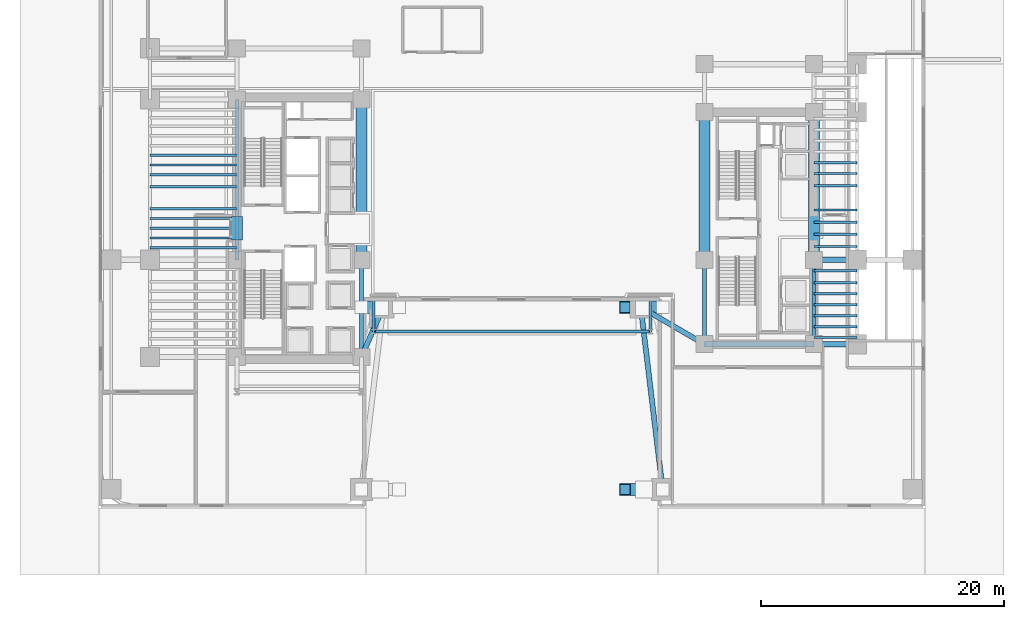
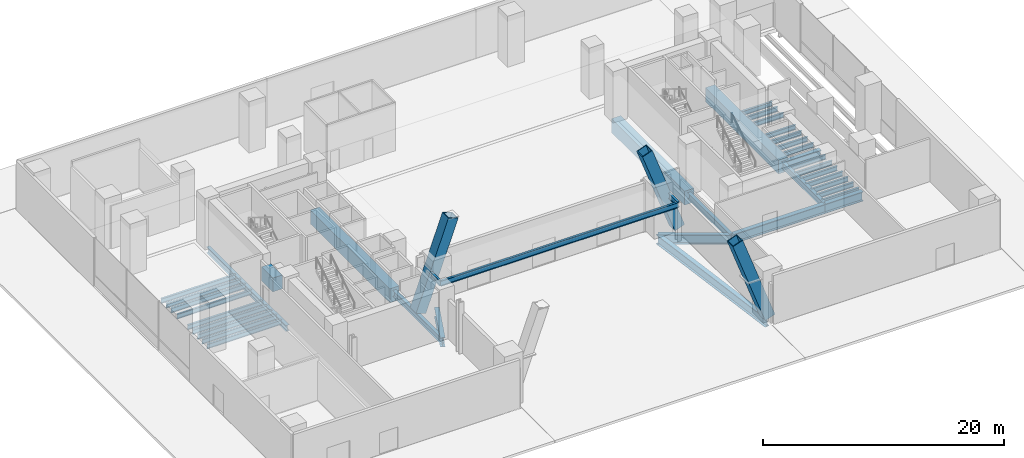
# One storey, part 7 of 27: 40 beams, 3 members.
"""IFC4 building model written with IfcOpenShell, lengths in metres."""

from ifc_helpers import new_model, si_unit, direction, frame, origin, origin_2d, place, context, subcontext, project, spatial, rectangle, hollow_rectangle, i_section, extrude, source, transform, mapped, material, material_profile, profile_set, type_object, element, save


model = new_model("IFC4")

# Units and contexts
model_context = context("Model", 3, precision=1e-05, world=origin(), true_north=direction((0.0, 1.0)))
body_context = subcontext(model_context, "Body", "Model", "MODEL_VIEW")
ifc_project = project(units=[si_unit("LENGTHUNIT", "METRE"), si_unit("AREAUNIT", "SQUARE_METRE"), si_unit("VOLUMEUNIT", "CUBIC_METRE"), si_unit("PLANEANGLEUNIT", "RADIAN"), si_unit("MASSUNIT", "GRAM", prefix="KILO")], contexts=[model_context])

# Site, building, storey
site_placement = place(None, origin())
site = spatial("IfcSite", under=ifc_project, at=site_placement, CompositionType="ELEMENT")
building_placement = place(site_placement, origin())
building = spatial("IfcBuilding", under=site, at=building_placement, Name="Valdorenza Pilgrim Sanctuary Tower", CompositionType="ELEMENT")
storey_placement = place(building_placement, origin())
storey = spatial("IfcBuildingStorey", under=building, at=storey_placement, Name="L00", CompositionType="ELEMENT", Elevation=0.0)

# Beams
ifc_material_1 = material(Name="Concrete C60/75", Category="concrete")
ifc_material_profile_1 = material_profile(ifc_material_1, rectangle(XDim=0.89990234375, YDim=1.39990234375, at=origin_2d()), Name="RC 1400x900")
ifc_profile_set_1 = profile_set([ifc_material_profile_1], Name="Concrete C60/75")
beam_type_1 = type_object("IfcBeamType", Name="STR-BM-LNT-1400", PredefinedType="LINTEL", material=ifc_profile_set_1)
shared_shape_1 = source(origin(), body_context, "Body", "SweptSolid", [
    extrude(rectangle(XDim=0.89990234375, YDim=1.39990234375, at=origin_2d()), origin(), (0.0, 0.0, 1.0), 13.2001953125),
])
beam_1_placement = place(storey_placement, frame((-12.39990234375, -2.60009765625, -0.739990234375), z_axis=(0.0, 1.0, 0.0), x_axis=(-1.0, 0.0, 0.0)))
element("IfcBeam", 1, at=beam_1_placement, inside=storey, type_object=beam_type_1, Name="L00 Core A Coupling Lintel Girder", PredefinedType="LINTEL", context=body_context, shape_type="MappedRepresentation", body=[
    mapped(shared_shape_1, transform((0.0, 0.0, 0.0), x_axis=(1.0, 0.0, 0.0), y_axis=(0.0, 1.0, 0.0), z_axis=(0.0, 0.0, 1.0), scale=1.0)),
])
shared_shape_2 = source(origin(), body_context, "Body", "SweptSolid", [
    extrude(rectangle(XDim=0.89990234375, YDim=1.39990234375, at=origin_2d()), origin(), (0.0, 0.0, 1.0), 12.150146484375),
])
for number, where, z_axis, x_axis, name in (
    (2, (15.85009765625, -2.60009765625, -0.739990234375), (0.0, 1.0, 0.0), (-1.0, 0.0, 0.0), "L00 Core B West Coupling Lintel Girder"),
    (3, (24.85009765625, -2.60009765625, -0.739990234375), (0.0, 1.0, 0.0), (-1.0, 0.0, 0.0), "L00 Core B East Coupling Lintel Girder"),
):
    element("IfcBeam", number, at=place(storey_placement, frame(where, z_axis=z_axis, x_axis=x_axis)), inside=storey, type_object=beam_type_1, Name=name, PredefinedType="LINTEL", context=body_context, shape_type="MappedRepresentation", body=[
        mapped(shared_shape_2, transform((0.0, 0.0, 0.0), x_axis=(1.0, 0.0, 0.0), y_axis=(0.0, 1.0, 0.0), z_axis=(0.0, 0.0, 1.0), scale=1.0)),
    ])
shared_shape_3 = source(origin(), body_context, "Body", "SweptSolid", [
    extrude(rectangle(XDim=0.89990234375, YDim=1.39990234375, at=origin_2d()), origin(), (0.0, 0.0, 1.0), 1.89990234375),
])
beam_2_placement = place(storey_placement, frame((-22.64990234375, -0.949951171875, 2.949951171875), z_axis=(0.0, 1.0, 0.0), x_axis=(-1.0, 0.0, 0.0)))
element("IfcBeam", 4, at=beam_2_placement, inside=storey, type_object=beam_type_1, Name="L00 Core A West Discharge Portal Coupling Lintel", PredefinedType="LINTEL", context=body_context, shape_type="MappedRepresentation", body=[
    mapped(shared_shape_3, transform((0.0, 0.0, 0.0), x_axis=(1.0, 0.0, 0.0), y_axis=(0.0, 1.0, 0.0), z_axis=(0.0, 0.0, 1.0), scale=1.0)),
])
ifc_material_2 = material(Name="Steel ASTM A992 Grade 50", Category="steel")
ifc_material_profile_2 = material_profile(ifc_material_2, i_section(OverallWidth=0.323974609375, OverallDepth=0.611083984375, WebThickness=0.0126953125, FlangeThickness=0.01904296875, at=origin_2d()), Name="W24X104")
ifc_profile_set_2 = profile_set([ifc_material_profile_2], Name="Steel ASTM A992 Grade 50")
beam_type_2 = type_object("IfcBeamType", Name="STR-BM-GRD-W24B", PredefinedType="BEAM", material=ifc_profile_set_2)
shared_shape_4 = source(origin(), body_context, "Body", "SweptSolid", [
    extrude(i_section(OverallWidth=0.323974609375, OverallDepth=0.611083984375, WebThickness=0.0126953125, FlangeThickness=0.01904296875, at=origin_2d()), origin(), (0.0, 0.0, 1.0), 8.0),
])
beam_3_placement = place(storey_placement, frame((-12.39990234375, -10.60009765625, -0.58544921875), z_axis=(0.0, 1.0, 0.0), x_axis=(-1.0, 0.0, 0.0)))
element("IfcBeam", 5, at=beam_3_placement, inside=storey, type_object=beam_type_2, Name="L00 Core Tie Girder CA-E-S1M0", PredefinedType="BEAM", context=body_context, shape_type="MappedRepresentation", body=[
    mapped(shared_shape_4, transform((0.0, 0.0, 0.0), x_axis=(1.0, 0.0, 0.0), y_axis=(0.0, 1.0, 0.0), z_axis=(0.0, 0.0, 1.0), scale=1.0)),
])
shared_shape_5 = source(origin(), body_context, "Body", "SweptSolid", [
    extrude(i_section(OverallWidth=0.323974609375, OverallDepth=0.611083984375, WebThickness=0.0126953125, FlangeThickness=0.01904296875, at=origin_2d()), origin(), (0.0, 0.0, 1.0), 13.2001953125),
])
beam_4_placement = place(storey_placement, frame((-22.64990234375, -2.60009765625, -0.58544921875), z_axis=(0.0, 1.0, 0.0), x_axis=(-1.0, 0.0, 0.0)))
element("IfcBeam", 6, at=beam_4_placement, inside=storey, type_object=beam_type_2, Name="L00 Core Tie Girder CA-W-M0N1", PredefinedType="BEAM", context=body_context, shape_type="MappedRepresentation", body=[
    mapped(shared_shape_5, transform((0.0, 0.0, 0.0), x_axis=(1.0, 0.0, 0.0), y_axis=(0.0, 1.0, 0.0), z_axis=(0.0, 0.0, 1.0), scale=1.0)),
])
ifc_material_profile_3 = material_profile(ifc_material_2, i_section(OverallWidth=0.193115234375, OverallDepth=0.466064453125, WebThickness=0.011474609375, FlangeThickness=0.01904296875, at=origin_2d()), Name="W18X65")
ifc_profile_set_3 = profile_set([ifc_material_profile_3], Name="Steel ASTM A992 Grade 50")
beam_type_3 = type_object("IfcBeamType", Name="STR-BM-JST-W18A", PredefinedType="JOIST", material=ifc_profile_set_3)
shared_shape_6 = source(origin(), body_context, "Body", "SweptSolid", [
    extrude(i_section(OverallWidth=0.193115234375, OverallDepth=0.466064453125, WebThickness=0.011474609375, FlangeThickness=0.01904296875, at=origin_2d()), origin(), (0.0, 0.0, 1.0), 7.150146484375),
])
for number, where, z_axis, x_axis, name in (
    (7, (-29.800048828125, -1.60009765625, -0.512939453125), (1.0, 0.0, 0.0), (0.0, 1.0, 0.0), "L00 Composite Floor Joist JST-WA-10"),
    (8, (-29.800048828125, -0.800048828125, -0.512939453125), (1.0, 0.0, 0.0), (0.0, 1.0, 0.0), "L00 Composite Floor Joist JST-WA-11"),
    (9, (-29.800048828125, 0.0, -0.512939453125), (1.0, 0.0, 0.0), (0.0, 1.0, 0.0), "L00 Composite Floor Joist JST-WA-12"),
    (10, (-29.800048828125, 0.800048828125, -0.512939453125), (1.0, 0.0, 0.0), (0.0, 1.0, 0.0), "L00 Composite Floor Joist JST-WA-13"),
    (11, (-29.800048828125, 1.60009765625, -0.512939453125), (1.0, 0.0, 0.0), (0.0, 1.0, 0.0), "L00 Composite Floor Joist JST-WA-14"),
    (12, (-29.800048828125, 3.39990234375, -0.512939453125), (1.0, 0.0, 0.0), (0.0, 1.0, 0.0), "L00 Composite Floor Joist JST-WA-15"),
    (13, (-29.800048828125, 4.39990234375, -0.512939453125), (1.0, 0.0, 0.0), (0.0, 1.0, 0.0), "L00 Composite Floor Joist JST-WA-16"),
    (14, (-29.800048828125, 5.199951171875, -0.512939453125), (1.0, 0.0, 0.0), (0.0, 1.0, 0.0), "L00 Composite Floor Joist JST-WA-17"),
    (15, (-29.800048828125, 6.0, -0.512939453125), (1.0, 0.0, 0.0), (0.0, 1.0, 0.0), "L00 Composite Floor Joist JST-WA-18"),
):
    element("IfcBeam", number, at=place(storey_placement, frame(where, z_axis=z_axis, x_axis=x_axis)), inside=storey, type_object=beam_type_3, Name=name, PredefinedType="JOIST", context=body_context, shape_type="MappedRepresentation", body=[
        mapped(shared_shape_6, transform((0.0, 0.0, 0.0), x_axis=(1.0, 0.0, 0.0), y_axis=(0.0, 1.0, 0.0), z_axis=(0.0, 0.0, 1.0), scale=1.0)),
    ])
ifc_material_profile_4 = material_profile(ifc_material_2, i_section(OverallWidth=0.423095703125, OverallDepth=0.947998046875, WebThickness=0.02392578125, FlangeThickness=0.042724609375, at=origin_2d()), Name="W36X302")
ifc_profile_set_4 = profile_set([ifc_material_profile_4], Name="Steel ASTM A992 Grade 50")
beam_type_4 = type_object("IfcBeamType", Name="STR-BM-GRD-W36A", PredefinedType="BEAM", material=ifc_profile_set_4)
shared_shape_7 = source(origin(), body_context, "Body", "SweptSolid", [
    extrude(i_section(OverallWidth=0.423095703125, OverallDepth=0.947998046875, WebThickness=0.02392578125, FlangeThickness=0.042724609375, at=origin_2d()), origin(), (0.0, 0.0, 1.0), 9.0),
])
beam_5_placement = place(storey_placement, frame((15.85009765625, -9.550048828125, -0.75390625), z_axis=(1.0, 0.0, 0.0), x_axis=(0.0, 1.0, 0.0)))
element("IfcBeam", 16, at=beam_5_placement, inside=storey, type_object=beam_type_4, Name="L00 Floor Girder CB-XC-S1", PredefinedType="BEAM", context=body_context, shape_type="MappedRepresentation", body=[
    mapped(shared_shape_7, transform((0.0, 0.0, 0.0), x_axis=(1.0, 0.0, 0.0), y_axis=(0.0, 1.0, 0.0), z_axis=(0.0, 0.0, 1.0), scale=1.0)),
])
shared_shape_8 = source(origin(), body_context, "Body", "SweptSolid", [
    extrude(i_section(OverallWidth=0.423095703125, OverallDepth=0.947998046875, WebThickness=0.02392578125, FlangeThickness=0.042724609375, at=origin_2d()), origin(), (0.0, 0.0, 1.0), 3.5498046875),
])
for number, where, z_axis, x_axis, name in (
    (17, (24.85009765625, -9.550048828125, -0.75390625), (1.0, 0.0, 0.0), (0.0, 1.0, 0.0), "L00 Floor Girder WB-XE-S1"),
    (18, (24.85009765625, -2.60009765625, -0.75390625), (1.0, 0.0, 0.0), (0.0, 1.0, 0.0), "L00 Floor Girder WB-XE-M0"),
):
    element("IfcBeam", number, at=place(storey_placement, frame(where, z_axis=z_axis, x_axis=x_axis)), inside=storey, type_object=beam_type_4, Name=name, PredefinedType="BEAM", context=body_context, shape_type="MappedRepresentation", body=[
        mapped(shared_shape_8, transform((0.0, 0.0, 0.0), x_axis=(1.0, 0.0, 0.0), y_axis=(0.0, 1.0, 0.0), z_axis=(0.0, 0.0, 1.0), scale=1.0)),
    ])
shared_shape_9 = source(origin(), body_context, "Body", "SweptSolid", [
    extrude(i_section(OverallWidth=0.323974609375, OverallDepth=0.611083984375, WebThickness=0.0126953125, FlangeThickness=0.01904296875, at=origin_2d()), origin(), (0.0, 0.0, 1.0), 6.949951171875),
])
for number, where, z_axis, x_axis, name in (
    (19, (15.85009765625, -9.550048828125, -0.58544921875), (0.0, 1.0, 0.0), (-1.0, 0.0, 0.0), "L00 Core Tie Girder CB-W-S1M0"),
    (20, (24.85009765625, -9.550048828125, -0.58544921875), (0.0, 1.0, 0.0), (-1.0, 0.0, 0.0), "L00 Core Tie Girder CB-E-S1M0"),
):
    element("IfcBeam", number, at=place(storey_placement, frame(where, z_axis=z_axis, x_axis=x_axis)), inside=storey, type_object=beam_type_2, Name=name, PredefinedType="BEAM", context=body_context, shape_type="MappedRepresentation", body=[
        mapped(shared_shape_9, transform((0.0, 0.0, 0.0), x_axis=(1.0, 0.0, 0.0), y_axis=(0.0, 1.0, 0.0), z_axis=(0.0, 0.0, 1.0), scale=1.0)),
    ])
shared_shape_10 = source(origin(), body_context, "Body", "SweptSolid", [
    extrude(i_section(OverallWidth=0.193115234375, OverallDepth=0.466064453125, WebThickness=0.011474609375, FlangeThickness=0.01904296875, at=origin_2d()), origin(), (0.0, 0.0, 1.0), 3.5498046875),
])
for number, where, z_axis, x_axis, name in (
    (21, (24.85009765625, -9.0, -0.512939453125), (1.0, 0.0, 0.0), (0.0, 1.0, 0.0), "L00 Composite Floor Joist JST-WB-1"),
    (22, (24.85009765625, -8.10009765625, -0.512939453125), (1.0, 0.0, 0.0), (0.0, 1.0, 0.0), "L00 Composite Floor Joist JST-WB-2"),
    (23, (24.85009765625, -7.199951171875, -0.512939453125), (1.0, 0.0, 0.0), (0.0, 1.0, 0.0), "L00 Composite Floor Joist JST-WB-3"),
    (24, (24.85009765625, -6.300048828125, -0.512939453125), (1.0, 0.0, 0.0), (0.0, 1.0, 0.0), "L00 Composite Floor Joist JST-WB-4"),
    (25, (24.85009765625, -5.39990234375, -0.512939453125), (1.0, 0.0, 0.0), (0.0, 1.0, 0.0), "L00 Composite Floor Joist JST-WB-5"),
    (26, (24.85009765625, -4.5, -0.512939453125), (1.0, 0.0, 0.0), (0.0, 1.0, 0.0), "L00 Composite Floor Joist JST-WB-6"),
    (27, (24.85009765625, -3.5, -0.512939453125), (1.0, 0.0, 0.0), (0.0, 1.0, 0.0), "L00 Composite Floor Joist JST-WB-7"),
    (28, (24.85009765625, -1.5, -0.512939453125), (1.0, 0.0, 0.0), (0.0, 1.0, 0.0), "L00 Composite Floor Joist JST-WB-8"),
    (29, (24.85009765625, -0.5, -0.512939453125), (1.0, 0.0, 0.0), (0.0, 1.0, 0.0), "L00 Composite Floor Joist JST-WB-9"),
    (30, (24.85009765625, 0.5, -0.512939453125), (1.0, 0.0, 0.0), (0.0, 1.0, 0.0), "L00 Composite Floor Joist JST-WB-10"),
    (31, (24.85009765625, 1.5, -0.512939453125), (1.0, 0.0, 0.0), (0.0, 1.0, 0.0), "L00 Composite Floor Joist JST-WB-11"),
    (32, (24.85009765625, 3.5, -0.512939453125), (1.0, 0.0, 0.0), (0.0, 1.0, 0.0), "L00 Composite Floor Joist JST-WB-12"),
    (33, (24.85009765625, 4.5, -0.512939453125), (1.0, 0.0, 0.0), (0.0, 1.0, 0.0), "L00 Composite Floor Joist JST-WB-13"),
    (34, (24.85009765625, 5.39990234375, -0.512939453125), (1.0, 0.0, 0.0), (0.0, 1.0, 0.0), "L00 Composite Floor Joist JST-WB-14"),
):
    element("IfcBeam", number, at=place(storey_placement, frame(where, z_axis=z_axis, x_axis=x_axis)), inside=storey, type_object=beam_type_3, Name=name, PredefinedType="JOIST", context=body_context, shape_type="MappedRepresentation", body=[
        mapped(shared_shape_10, transform((0.0, 0.0, 0.0), x_axis=(1.0, 0.0, 0.0), y_axis=(0.0, 1.0, 0.0), z_axis=(0.0, 0.0, 1.0), scale=1.0)),
    ])
shared_shape_11 = source(origin(), body_context, "Body", "SweptSolid", [
    extrude(i_section(OverallWidth=0.423095703125, OverallDepth=0.947998046875, WebThickness=0.02392578125, FlangeThickness=0.042724609375, at=origin_2d()), origin(), (0.0, 0.0, 1.0), 15.107666015625),
])
beam_6_placement = place(storey_placement, frame((12.39990234375, -21.5, -0.75390625), z_axis=(-0.119132476027, 0.992878367755, 0.0), x_axis=(-0.992878367755, -0.119132476027, 0.0)))
element("IfcBeam", 35, at=beam_6_placement, inside=storey, type_object=beam_type_4, Name="L00 Floor Girder POD-ARCH-E", PredefinedType="BEAM", context=body_context, shape_type="MappedRepresentation", body=[
    mapped(shared_shape_11, transform((0.0, 0.0, 0.0), x_axis=(1.0, 0.0, 0.0), y_axis=(0.0, 1.0, 0.0), z_axis=(0.0, 0.0, 1.0), scale=1.0)),
])
shared_shape_12 = source(origin(), body_context, "Body", "SweptSolid", [
    extrude(i_section(OverallWidth=0.423095703125, OverallDepth=0.947998046875, WebThickness=0.02392578125, FlangeThickness=0.042724609375, at=origin_2d()), origin(), (0.0, 0.0, 1.0), 4.477783203125),
])
beam_7_placement = place(storey_placement, frame((-10.60009765625, -6.5, -0.75390625), z_axis=(-0.40194546398, -0.91566360853, 0.0), x_axis=(0.91566360853, -0.40194546398, 0.0)))
element("IfcBeam", 36, at=beam_7_placement, inside=storey, type_object=beam_type_4, Name="L00 Floor Girder POD-ARCH-N", PredefinedType="BEAM", context=body_context, shape_type="MappedRepresentation", body=[
    mapped(shared_shape_12, transform((0.0, 0.0, 0.0), x_axis=(1.0, 0.0, 0.0), y_axis=(0.0, 1.0, 0.0), z_axis=(0.0, 0.0, 1.0), scale=1.0)),
])
shared_shape_13 = source(origin(), body_context, "Body", "SweptSolid", [
    extrude(i_section(OverallWidth=0.423095703125, OverallDepth=0.947998046875, WebThickness=0.02392578125, FlangeThickness=0.042724609375, at=origin_2d()), origin(), (0.0, 0.0, 1.0), 6.07177734375),
])
beam_8_placement = place(storey_placement, frame((10.60009765625, -6.5, -0.75390625), z_axis=(0.864670076815, -0.50234018181, 0.0), x_axis=(0.50234018181, 0.864670076815, 0.0)))
element("IfcBeam", 37, at=beam_8_placement, inside=storey, type_object=beam_type_4, Name="L00 Floor Girder POD-ARCH-NE", PredefinedType="BEAM", context=body_context, shape_type="MappedRepresentation", body=[
    mapped(shared_shape_13, transform((0.0, 0.0, 0.0), x_axis=(1.0, 0.0, 0.0), y_axis=(0.0, 1.0, 0.0), z_axis=(0.0, 0.0, 1.0), scale=1.0)),
])

# Members
ifc_material_3 = material(Name="Steel ASTM A572 Grade 42", Category="steel")
ifc_material_profile_5 = material_profile(ifc_material_3, hollow_rectangle(XDim=1.0, YDim=1.0, WallThickness=0.080078125, at=origin_2d()), Name="BOX 1000x1000x80")
ifc_profile_set_5 = profile_set([ifc_material_profile_5], Name="Steel ASTM A572 Grade 42")
member_type = type_object("IfcMemberType", Name="STR-MB-ARCH-RIB", PredefinedType="CHORD", material=ifc_profile_set_5)
shared_shape_14 = source(origin(), body_context, "Body", "SweptSolid", [
    extrude(hollow_rectangle(XDim=1.0, YDim=1.0, WallThickness=0.080078125, at=origin_2d()), origin(), (0.0, 0.0, 1.0), 9.1181640625),
])
for number, where, z_axis, x_axis, name in (
    (38, (9.300048828125, -21.5, 8.574951171875), (0.339968820363, 0.0, -0.940436707695), (0.0, 1.0, 0.0), "Parabolic Portal Arch Rib SOUTH Seg 8"),
    (39, (-12.39990234375, -6.5, 0.0), (0.339968820363, 0.0, 0.940436707695), (0.0, 1.0, 0.0), "Parabolic Portal Arch Rib INNER Seg 1"),
    (40, (9.300048828125, -6.5, 8.574951171875), (0.339968820363, 0.0, -0.940436707695), (0.0, 1.0, 0.0), "Parabolic Portal Arch Rib INNER Seg 8"),
):
    element("IfcMember", number, at=place(storey_placement, frame(where, z_axis=z_axis, x_axis=x_axis)), inside=storey, type_object=member_type, Name=name, PredefinedType="CHORD", context=body_context, shape_type="MappedRepresentation", body=[
        mapped(shared_shape_14, transform((0.0, 0.0, 0.0), x_axis=(1.0, 0.0, 0.0), y_axis=(0.0, 1.0, 0.0), z_axis=(0.0, 0.0, 1.0), scale=1.0)),
    ])

# Beams
ifc_material_profile_6 = material_profile(ifc_material_2, i_section(OverallWidth=0.2109375, OverallDepth=0.5390625, WebThickness=0.01171875, FlangeThickness=0.018798828125, at=origin_2d()), Name="W21X73")
ifc_profile_set_6 = profile_set([ifc_material_profile_6], Name="Steel ASTM A992 Grade 50")
beam_type_5 = type_object("IfcBeamType", Name="STR-BM-SPN-W21B", PredefinedType="SPANDREL", material=ifc_profile_set_6)
shared_shape_15 = source(origin(), body_context, "Body", "SweptSolid", [
    extrude(i_section(OverallWidth=0.2109375, OverallDepth=0.5390625, WebThickness=0.01171875, FlangeThickness=0.018798828125, at=origin_2d()), origin(), (0.0, 0.0, 1.0), 2.64990234375),
])
for number, where, z_axis, x_axis, name in (
    (41, (-11.39990234375, -8.5, 3.6201171875), (0.0, 1.0, 0.0), (-1.0, 0.0, 0.0), "L00 Portal Canopy Side Beam W"),
    (42, (11.39990234375, -8.5, 3.6201171875), (0.0, 1.0, 0.0), (-1.0, 0.0, 0.0), "L00 Portal Canopy Side Beam E"),
):
    element("IfcBeam", number, at=place(storey_placement, frame(where, z_axis=z_axis, x_axis=x_axis)), inside=storey, type_object=beam_type_5, Name=name, PredefinedType="SPANDREL", context=body_context, shape_type="MappedRepresentation", body=[
        mapped(shared_shape_15, transform((0.0, 0.0, 0.0), x_axis=(1.0, 0.0, 0.0), y_axis=(0.0, 1.0, 0.0), z_axis=(0.0, 0.0, 1.0), scale=1.0)),
    ])
shared_shape_16 = source(origin(), body_context, "Body", "SweptSolid", [
    extrude(i_section(OverallWidth=0.2109375, OverallDepth=0.5390625, WebThickness=0.01171875, FlangeThickness=0.018798828125, at=origin_2d()), origin(), (0.0, 0.0, 1.0), 22.7998046875),
])
beam_9_placement = place(storey_placement, frame((-11.39990234375, -8.5, 3.6201171875), z_axis=(1.0, 0.0, 0.0), x_axis=(0.0, 1.0, 0.0)))
element("IfcBeam", 43, at=beam_9_placement, inside=storey, type_object=beam_type_5, Name="L00 Portal Canopy Front Spandrel", PredefinedType="SPANDREL", context=body_context, shape_type="MappedRepresentation", body=[
    mapped(shared_shape_16, transform((0.0, 0.0, 0.0), x_axis=(1.0, 0.0, 0.0), y_axis=(0.0, 1.0, 0.0), z_axis=(0.0, 0.0, 1.0), scale=1.0)),
])

save(model, "model.ifc")
